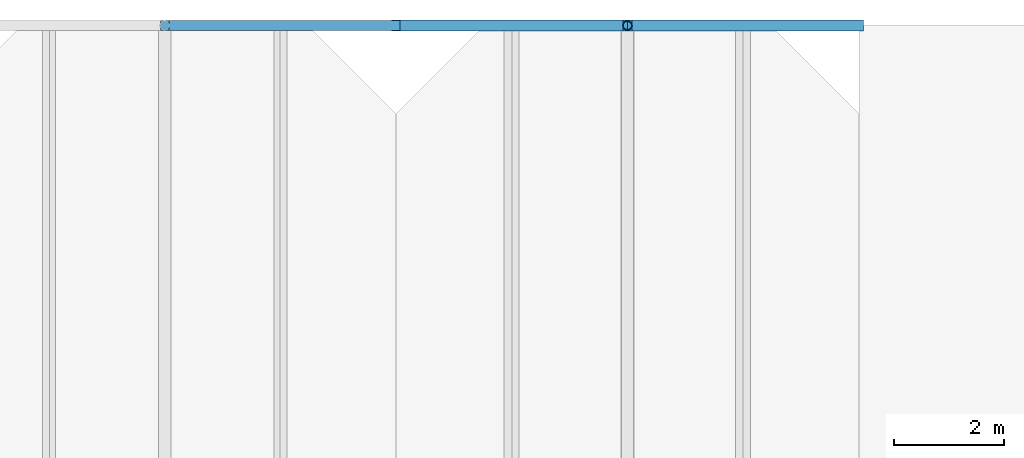
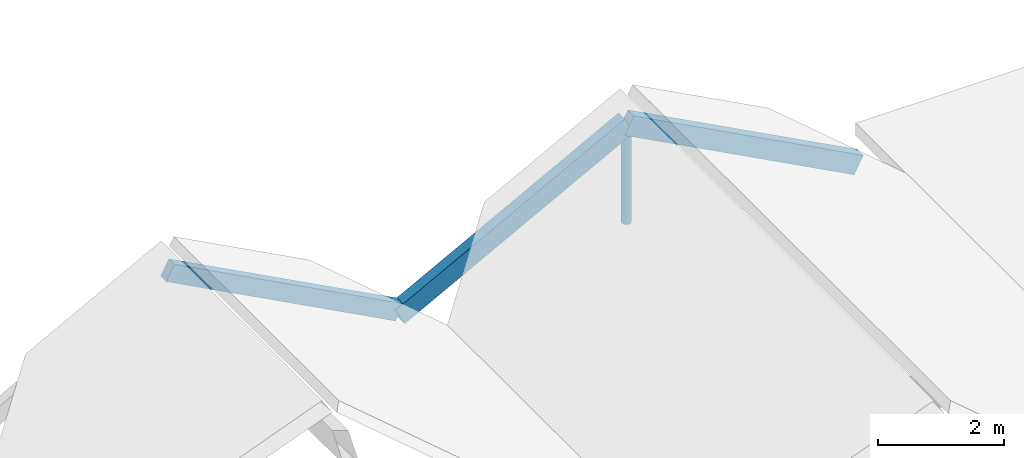
# One storey, part 67 of 82: 4 members.
"""IFC4 building model written with IfcOpenShell, lengths in metres."""

import ifcopenshell
import ifcopenshell.guid

model = None  # the IFC model being written
_history = None  # IfcOwnerHistory: only IFC2X3 demands one
_inside = {}  # id of a spatial element -> (the spatial element, [elements in it])
_under = {}  # id of a project, library or spatial element -> (it, [spatial elements below it])
_declared = {}  # id of a project -> (the project, [libraries it declares])
_typed = {}  # id of a type object -> (the type object, [elements of that type])
_made_of = {}  # id of a material, layer set ... -> (it, [elements and type objects made of it])


def new_model(schema):
    """Start an empty IFC model of exactly this schema.

    Asked for "IFC4X3", IfcOpenShell would pick the latest addendum, in which some entities
    have other attributes; the version numbers below select the first issue.
    IFC2X3 requires an IfcOwnerHistory on every rooted entity: one is made here for all.
    """
    global model, _history
    if schema == "IFC4X3":
        model = ifcopenshell.file(schema_version=(4, 3, 0, 0))
    else:
        model = ifcopenshell.file(schema=schema)
    _inside.clear()
    _under.clear()
    _declared.clear()
    _typed.clear()
    _made_of.clear()
    _history = None
    if model.schema == "IFC2X3":
        org = make("IfcOrganization", Name="unknown")
        user = make(
            "IfcPersonAndOrganization",
            ThePerson=make("IfcPerson", FamilyName="unknown"),
            TheOrganization=org,
        )
        app = make(
            "IfcApplication",
            ApplicationDeveloper=org,
            Version="unknown",
            ApplicationFullName="unknown",
            ApplicationIdentifier="unknown",
        )
        _history = make(
            "IfcOwnerHistory",
            OwningUser=user,
            OwningApplication=app,
            ChangeAction="ADDED",
            CreationDate=0,
        )
    return model


def make(cls, **values):
    """One entity of the class cls with the attributes given. An attribute that is None is left unset."""
    return model.create_entity(
        cls, **{name: value for name, value in values.items() if value is not None}
    )


def rooted(cls, **values):
    """An entity with a GlobalId (a new one), such as an element, a storey or a relation."""
    return make(cls, GlobalId=ifcopenshell.guid.new(), OwnerHistory=_history, **values)


def si_unit(unit_type, name, prefix=None):
    """IfcSIUnit, for example si_unit("LENGTHUNIT", "METRE", prefix="MILLI")."""
    return make("IfcSIUnit", UnitType=unit_type, Prefix=prefix, Name=name)


def assignment(units):
    """IfcUnitAssignment: the units of a project."""
    return None if units is None else make("IfcUnitAssignment", Units=units)


def point(xyz):
    """IfcCartesianPoint."""
    return None if xyz is None else make("IfcCartesianPoint", Coordinates=xyz)


def direction(xyz):
    """IfcDirection."""
    return None if xyz is None else make("IfcDirection", DirectionRatios=xyz)


def frame(location, z_axis=None, x_axis=None):
    """IfcAxis2Placement3D, a coordinate frame: its origin and axes. An axis left out is left unset."""
    return make(
        "IfcAxis2Placement3D",
        Location=point(location),
        Axis=direction(z_axis),
        RefDirection=direction(x_axis),
    )


def frame_2d(location, x_axis=None):
    """IfcAxis2Placement2D, a coordinate frame in the plane: its origin and x axis."""
    return make(
        "IfcAxis2Placement2D", Location=point(location), RefDirection=direction(x_axis)
    )


def origin():
    """The frame at (0, 0, 0) with its axes left unset."""
    return frame((0.0, 0.0, 0.0))


def origin_2d():
    """The frame at (0, 0) in the plane with its x axis left unset."""
    return frame_2d((0.0, 0.0))


def place(relative_to, where):
    """IfcLocalPlacement: puts the frame where relative to a parent placement (None: the world)."""
    return make(
        "IfcLocalPlacement", PlacementRelTo=relative_to, RelativePlacement=where
    )


def context(
    kind, dimensions, precision=None, world=None, true_north=None, identifier=None
):
    """IfcGeometricRepresentationContext, for example the 3D "Model" context."""
    return make(
        "IfcGeometricRepresentationContext",
        ContextIdentifier=identifier,
        ContextType=kind,
        CoordinateSpaceDimension=dimensions,
        Precision=precision,
        WorldCoordinateSystem=world,
        TrueNorth=true_north,
    )


def subcontext(parent, identifier, kind, view, scale=None):
    """IfcGeometricRepresentationSubContext, for example "Body" below "Model"."""
    return make(
        "IfcGeometricRepresentationSubContext",
        ContextIdentifier=identifier,
        ContextType=kind,
        ParentContext=parent,
        TargetScale=scale,
        TargetView=view,
    )


def project(units=None, contexts=None):
    """IfcProject with its units and contexts."""
    return rooted(
        "IfcProject",
        Name="project",
        RepresentationContexts=contexts,
        UnitsInContext=assignment(units),
    )


def spatial(cls, under=None, at=None, **own):
    """A site, building, storey or space (cls), placed at a placement, below another one or the project."""
    s = rooted(cls, ObjectPlacement=at, **own)
    if under is not None:
        _under.setdefault(under.id(), (under, []))[1].append(s)
    return s


def profile(cls, at=None, kind="AREA", **sizes):
    """A parametric profile (cls). Its sizes go by their IFC names, for example OverallWidth=200.0."""
    return make(cls, ProfileType=kind, Position=at, **sizes)


def rectangle(**sizes):
    """IfcRectangleProfileDef."""
    return profile("IfcRectangleProfileDef", **sizes)


def hollow_circle(**sizes):
    """IfcCircleHollowProfileDef."""
    return profile("IfcCircleHollowProfileDef", **sizes)


def extrude(swept, where, along, depth):
    """IfcExtrudedAreaSolid: the profile swept, set in the frame where, extruded along a direction by depth."""
    return make(
        "IfcExtrudedAreaSolid",
        SweptArea=swept,
        Position=where,
        ExtrudedDirection=direction(along),
        Depth=depth,
    )


def shape(context_of_items, identifier, shape_type, items):
    """IfcShapeRepresentation: the items that make up one representation, for example the "Body"."""
    return make(
        "IfcShapeRepresentation",
        ContextOfItems=context_of_items,
        RepresentationIdentifier=identifier,
        RepresentationType=shape_type,
        Items=items,
    )


def material(Name=None, Category=None):
    """IfcMaterial."""
    return make("IfcMaterial", Name=Name, Category=Category)


def material_profile(
    of_material, cross_section, Name=None, Category=None, Priority=None
):
    """IfcMaterialProfile: a cross section and its material."""
    return make(
        "IfcMaterialProfile",
        Name=Name,
        Material=of_material,
        Profile=cross_section,
        Priority=Priority,
        Category=Category,
    )


def profile_set(profiles, Name=None, composite=None):
    """IfcMaterialProfileSet."""
    return make(
        "IfcMaterialProfileSet",
        Name=Name,
        MaterialProfiles=profiles,
        CompositeProfile=composite,
    )


def made_of(thing, what):
    """Note that an element or type object is made of a material, layer set ...; save() writes the relation."""
    if what is not None:
        _made_of.setdefault(what.id(), (what, []))[1].append(thing)
    return thing


def type_object(cls, material=None, **own):
    """A type object (cls), such as IfcWallType, which elements share."""
    return made_of(rooted(cls, **own), material)


def element(
    cls,
    number,
    at=None,
    inside=None,
    cuts=None,
    type_object=None,
    material=None,
    context=None,
    identifier="Body",
    shape_type=None,
    held_by="IfcProductDefinitionShape",
    body=None,
    shapes=None,
    **own,
):
    """One element of the class cls, such as IfcWall. Its Tag is "e" and its number.

    at: its placement. inside: the storey or other place that contains it. cuts: it is an
    opening in that element (IfcRelVoidsElement). A single representation is given by context,
    identifier, shape_type and body (its items); several are given by shapes. held_by: the class
    of the entity that holds the representations. save() writes the other relations.
    """
    e = rooted(cls, Tag="e%d" % number, ObjectPlacement=at, **own)
    if body is not None:
        shapes = [shape(context, identifier, shape_type, body)]
    if shapes is not None:
        e.Representation = make(held_by, Representations=shapes)
    if inside is not None:
        _inside.setdefault(inside.id(), (inside, []))[1].append(e)
    if cuts is not None:
        rooted(
            "IfcRelVoidsElement", RelatingBuildingElement=cuts, RelatedOpeningElement=e
        )
    if type_object is not None:
        _typed.setdefault(type_object.id(), (type_object, []))[1].append(e)
    return made_of(e, material)


def aggregate(whole, parts):
    """IfcRelAggregates: a whole, such as a stair, and the parts it consists of."""
    return rooted("IfcRelAggregates", RelatingObject=whole, RelatedObjects=parts)


def save(model, path):
    """Write the relations noted so far, then the file.

    IfcRelAggregates (storeys below a building ...), IfcRelContainedInSpatialStructure (elements
    in a storey), IfcRelDefinesByType, IfcRelAssociatesMaterial and IfcRelDeclares: one each for
    every whole, place, type object, material and project.
    """
    for whole, parts in _under.values():
        aggregate(whole, parts)
    for where, things in _inside.values():
        rooted(
            "IfcRelContainedInSpatialStructure",
            RelatedElements=things,
            RelatingStructure=where,
        )
    for kind, things in _typed.values():
        rooted("IfcRelDefinesByType", RelatedObjects=things, RelatingType=kind)
    for what, things in _made_of.values():
        rooted("IfcRelAssociatesMaterial", RelatedObjects=things, RelatingMaterial=what)
    for by, libraries in _declared.values():
        rooted("IfcRelDeclares", RelatingContext=by, RelatedDefinitions=libraries)
    model.write(path)


model = new_model("IFC4")

# Units and contexts
model_context = context("Model", 3, precision=1e-05, world=origin(), true_north=direction((0.0, 1.0)))
body_context = subcontext(model_context, "Body", "Model", "MODEL_VIEW")
ifc_project = project(units=[si_unit("LENGTHUNIT", "METRE"), si_unit("AREAUNIT", "SQUARE_METRE"), si_unit("VOLUMEUNIT", "CUBIC_METRE"), si_unit("PLANEANGLEUNIT", "RADIAN"), si_unit("MASSUNIT", "GRAM", prefix="KILO")], contexts=[model_context])

# Site, building, storey
site_placement = place(None, origin())
site = spatial("IfcSite", under=ifc_project, at=site_placement, CompositionType="ELEMENT")
building_placement = place(site_placement, origin())
building = spatial("IfcBuilding", under=site, at=building_placement, Name="Bramfleet General Hospital", CompositionType="ELEMENT")
storey_placement = place(building_placement, frame((0.0, 0.0, 34.199951171875)))
storey = spatial("IfcBuildingStorey", under=building, at=storey_placement, Name="Roof", CompositionType="ELEMENT", Elevation=34.199951171875)

# Members
ifc_material_1 = material(Name="Structural timber GL28h", Category="wood")
ifc_material_profile_1 = material_profile(ifc_material_1, rectangle(XDim=0.179931640625, YDim=0.320068359375, at=origin_2d()), Name="GL28h 320x180")
ifc_profile_set_1 = profile_set([ifc_material_profile_1], Name="Structural timber GL28h")
member_type_1 = type_object("IfcMemberType", Name="MEM-RF-GL320", PredefinedType="RAFTER", material=ifc_profile_set_1)
member_1_placement = place(storey_placement, frame((88.199951171875, 117.60009765625, 1.561279296875), z_axis=(0.882947536541, 0.0, -0.469471668705), x_axis=(0.0, 1.0, 0.0)))
element("IfcMember", 1, at=member_1_placement, inside=storey, type_object=member_type_1, Name="Patient House PH-02 East Glulam Rafter 3", PredefinedType="RAFTER", context=body_context, shape_type="SweptSolid", body=[
    extrude(rectangle(XDim=0.179931640625, YDim=0.320068359375, at=origin_2d()), origin(), (0.0, 0.0, 1.0), 4.7568359375),
])
ifc_material_profile_2 = material_profile(ifc_material_1, rectangle(XDim=0.199951171875, YDim=0.360107421875, at=origin_2d()), Name="GL28h 360x200")
ifc_profile_set_2 = profile_set([ifc_material_profile_2], Name="Structural timber GL28h")
member_type_2 = type_object("IfcMemberType", Name="MEM-RF-GL360", PredefinedType="RAFTER", material=ifc_profile_set_2)
for number, where, z_axis, x_axis, name in (
    (2, (92.39990234375, 117.60009765625, -0.75634765625), (0.882958848035, 0.0, 0.469450394267), (0.0, 1.0, 0.0), "Patient House PH-03 West Glulam Rafter 3"),
    (3, (96.60009765625, 117.60009765625, 1.476806640625), (0.882947536541, 0.0, -0.469471668705), (0.0, 1.0, 0.0), "Patient House PH-03 East Glulam Rafter 3"),
):
    element("IfcMember", number, at=place(storey_placement, frame(where, z_axis=z_axis, x_axis=x_axis)), inside=storey, type_object=member_type_2, Name=name, PredefinedType="RAFTER", context=body_context, shape_type="SweptSolid", body=[
        extrude(rectangle(XDim=0.199951171875, YDim=0.360107421875, at=origin_2d()), origin(), (0.0, 0.0, 1.0), 4.7568359375),
    ])
ifc_material_2 = material(Name="Steel S355", Category="steel")
ifc_material_profile_3 = material_profile(ifc_material_2, hollow_circle(Radius=0.084228515625, WallThickness=0.008056640625, at=origin_2d()), Name="CHS 168.3x8.0")
ifc_profile_set_3 = profile_set([ifc_material_profile_3], Name="Steel S355")
member_type_3 = type_object("IfcMemberType", Name="MEM-SF-DG1", PredefinedType="STRUT", material=ifc_profile_set_3)
member_2_placement = place(storey_placement, frame((96.60009765625, 117.60009765625, -0.43994140625), z_axis=(0.0, 0.0, 1.0), x_axis=(1.0, 0.0, 0.0)))
element("IfcMember", 4, at=member_2_placement, inside=storey, type_object=member_type_3, Name="Patient House PH-03 Ridge Timber Post 3", PredefinedType="STRUT", context=body_context, shape_type="SweptSolid", body=[
    extrude(hollow_circle(Radius=0.084228515625, WallThickness=0.008056640625, at=origin_2d()), origin(), (0.0, 0.0, 1.0), 1.916748046875),
])

save(model, "model.ifc")
